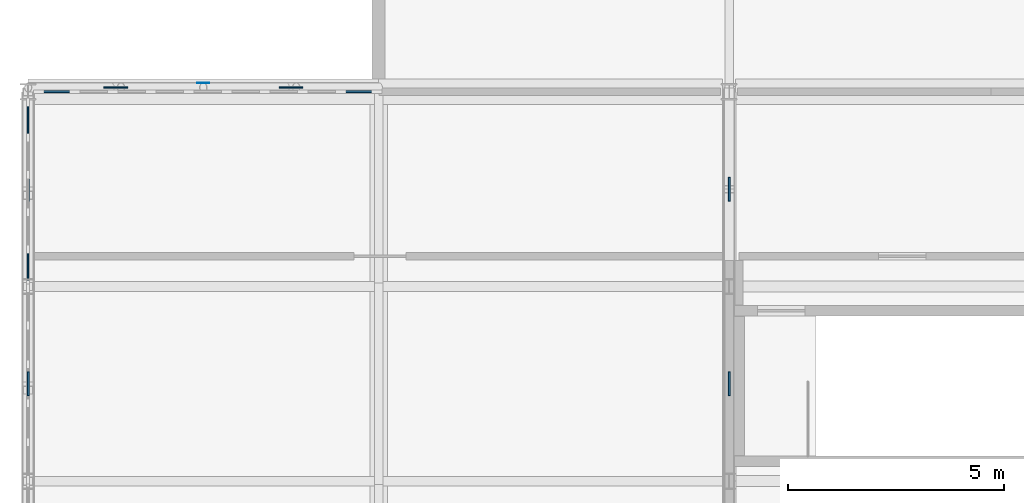
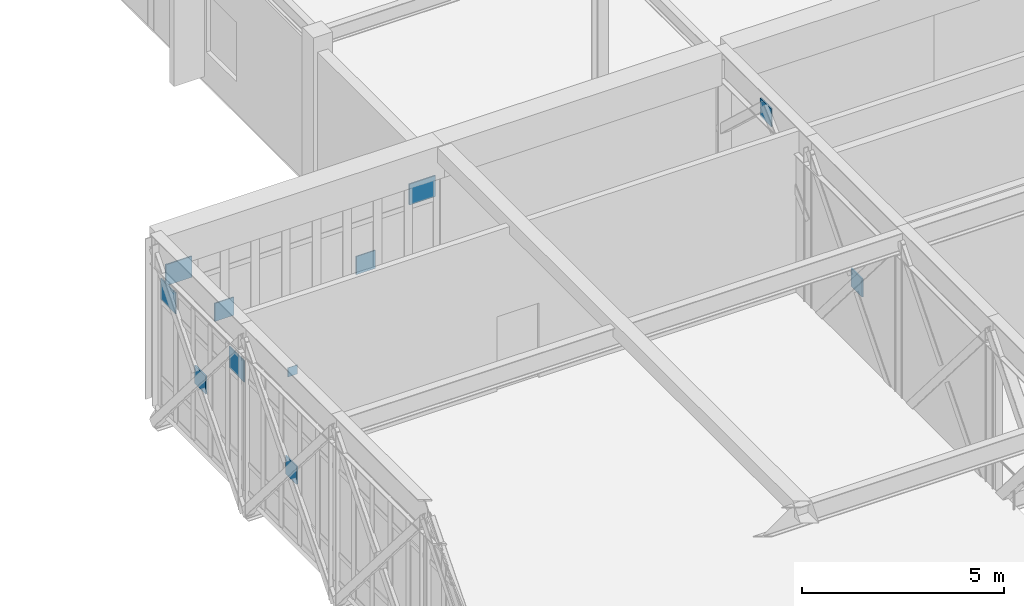
# One storey, part 53 of 70: 11 plates, 2 elements without a shape of their own.
"""IFC4 building model written with IfcOpenShell, lengths in metres."""

from ifc_helpers import new_model, si_unit, direction, frame, origin, origin_2d, place, context, subcontext, project, spatial, rectangle, extrude, material, layer, layer_set, type_object, element, aggregate, save


model = new_model("IFC4")

# Units and contexts
model_context = context("Model", 3, precision=1e-05, world=origin(), true_north=direction((0.0, 1.0)))
body_context = subcontext(model_context, "Body", "Model", "MODEL_VIEW")
ifc_project = project(units=[si_unit("LENGTHUNIT", "METRE"), si_unit("AREAUNIT", "SQUARE_METRE"), si_unit("VOLUMEUNIT", "CUBIC_METRE"), si_unit("PLANEANGLEUNIT", "RADIAN"), si_unit("MASSUNIT", "GRAM", prefix="KILO")], contexts=[model_context])

# Site, building, storey
site_placement = place(None, origin())
site = spatial("IfcSite", under=ifc_project, at=site_placement, CompositionType="ELEMENT")
building_placement = place(site_placement, origin())
building = spatial("IfcBuilding", under=site, at=building_placement, Name="Tarnveldt Square Police Headquarters", CompositionType="ELEMENT")
storey_placement = place(building_placement, frame((0.0, 0.0, 19.800048828125)))
storey = spatial("IfcBuildingStorey", under=building, at=storey_placement, Name="L04", CompositionType="ELEMENT", Elevation=19.800048828125)

# Curtain wall, plates
ifc_material_1 = material(Name="UL 752 Level III laminated ballistic vision glass", Category="glass")
curtain_wall_type_1 = type_object("IfcCurtainWallType", Name="CW-BL-790x409", PredefinedType="USERDEFINED", material=ifc_material_1)
curtain_wall_1_placement = place(storey_placement, origin())
curtain_wall_1 = element("IfcCurtainWall", 1, at=curtain_wall_1_placement, inside=storey, type_object=curtain_wall_type_1, Name="L04 Curtain Wall CW-L04-047", ObjectType="BALLISTIC CURTAIN WALL", PredefinedType="USERDEFINED")
ifc_layer_1 = layer(ifc_material_1, 0.0380859375)
ifc_layer_set_1 = layer_set([ifc_layer_1], Name="UL 752 Level III laminated ballistic vision glass")
plate_type_1 = type_object("IfcPlateType", Name="CWP-BAL-38", PredefinedType="CURTAIN_PANEL", material=ifc_layer_set_1)
plate_1_placement = place(storey_placement, frame((8.761962890625, 34.0, 3.37939453125), z_axis=(0.0, 0.0, 1.0), x_axis=(1.0, 0.0, 0.0)))
plate_1 = element("IfcPlate", 2, at=plate_1_placement, type_object=plate_type_1, Name="CW-BL19 panel 1.3", PredefinedType="CURTAIN_PANEL", context=body_context, shape_type="SweptSolid", body=[
    extrude(rectangle(XDim=0.75, YDim=0.0380859375, at=origin_2d()), origin(), (0.0, 0.0, 1.0), 0.637451171875),
])
plate_2_placement = place(storey_placement, frame((15.739990234375, 34.0, 3.37939453125), z_axis=(0.0, 0.0, 1.0), x_axis=(1.0, 0.0, 0.0)))
plate_2 = element("IfcPlate", 3, at=plate_2_placement, type_object=plate_type_1, Name="CW-BL19 panel 9.3", PredefinedType="CURTAIN_PANEL", context=body_context, shape_type="SweptSolid", body=[
    extrude(rectangle(XDim=0.75, YDim=0.0380859375, at=origin_2d()), origin(), (0.0, 0.0, 1.0), 0.637451171875),
])
aggregate(curtain_wall_1, [plate_1, plate_2])

ifc_material_2 = material(Name="Triple-glazed low-e laminated vision glass", Category="glass")
curtain_wall_type_2 = type_object("IfcCurtainWallType", Name="CW-LT-430x395", PredefinedType="USERDEFINED", material=ifc_material_2)
curtain_wall_2_placement = place(storey_placement, origin())
curtain_wall_2 = element("IfcCurtainWall", 4, at=curtain_wall_2_placement, inside=storey, type_object=curtain_wall_type_2, Name="L04 Curtain Wall CW-L04-055", ObjectType="GLAZED CURTAIN WALL", PredefinedType="USERDEFINED")
ifc_layer_2 = layer(ifc_material_2, 0.028076171875)
ifc_layer_set_2 = layer_set([ifc_layer_2], Name="Triple-glazed low-e laminated vision glass")
plate_type_2 = type_object("IfcPlateType", Name="CWP-VIS-28", PredefinedType="CURTAIN_PANEL", material=ifc_layer_set_2)
plate_3_placement = place(storey_placement, frame((8.10009765625, 29.948486328125, 3.2392578125), z_axis=(0.0, 0.0, 1.0), x_axis=(0.0, 1.0, 0.0)))
plate_3 = element("IfcPlate", 5, at=plate_3_placement, type_object=plate_type_2, Name="CW-LT23 panel 1.3", PredefinedType="CURTAIN_PANEL", context=body_context, shape_type="SweptSolid", body=[
    extrude(rectangle(XDim=0.7470703125, YDim=0.028076171875, at=origin_2d()), origin(), (0.0, 0.0, 1.0), 0.637451171875),
])
plate_4_placement = place(storey_placement, frame((8.10009765625, 33.349365234375, 3.2392578125), z_axis=(0.0, 0.0, 1.0), x_axis=(0.0, 1.0, 0.0)))
plate_4 = element("IfcPlate", 6, at=plate_4_placement, type_object=plate_type_2, Name="CW-LT23 panel 5.3", PredefinedType="CURTAIN_PANEL", context=body_context, shape_type="SweptSolid", body=[
    extrude(rectangle(XDim=0.7470703125, YDim=0.028076171875, at=origin_2d()), origin(), (0.0, 0.0, 1.0), 0.637451171875),
])
aggregate(curtain_wall_2, [plate_3, plate_4])

# Plates
ifc_material_3 = material(Name="Steel 350W", Category="steel")
ifc_layer_3 = layer(ifc_material_3, 0.011962890625)
ifc_layer_set_3 = layer_set([ifc_layer_3], Name="Steel 350W")
plate_type_3 = type_object("IfcPlateType", Name="PLT-CAP-12", PredefinedType="USERDEFINED", material=ifc_layer_set_3)
plate_5_placement = place(storey_placement, frame((12.14990234375, 34.205078125, -0.783203125), z_axis=(0.0, 0.0, 1.0), x_axis=(1.0, 0.0, 0.0)))
element("IfcPlate", 7, at=plate_5_placement, inside=storey, type_object=plate_type_3, Name="Node KN-LT1 HSS End Cap Plate N-L04-1", ObjectType="END CAP PLATE", PredefinedType="USERDEFINED", context=body_context, shape_type="SweptSolid", body=[
    extrude(rectangle(XDim=0.280029296875, YDim=0.011962890625, at=origin_2d()), origin(), (0.0, 0.0, 1.0), 0.280029296875),
])
ifc_layer_4 = layer(ifc_material_3, 0.031982421875)
ifc_layer_set_4 = layer_set([ifc_layer_4], Name="Steel 350W")
plate_type_4 = type_object("IfcPlateType", Name="PLT-GUS-32", PredefinedType="SHEET", material=ifc_layer_set_4)
for number, where, z_axis, x_axis, name in (
    (8, (10.125, 34.10009765625, 1.7236328125), (0.0, 0.0, 1.0), (1.0, 0.0, 0.0), "Command Lantern N Lattice Crossing Gusset Plate 1.1"),
    (9, (14.175048828125, 34.10009765625, 1.7236328125), (0.0, 0.0, 1.0), (1.0, 0.0, 0.0), "Command Lantern N Lattice Crossing Gusset Plate 1.2"),
):
    element("IfcPlate", number, at=place(storey_placement, frame(where, z_axis=z_axis, x_axis=x_axis)), inside=storey, type_object=plate_type_4, Name=name, PredefinedType="SHEET", context=body_context, shape_type="SweptSolid", body=[
        extrude(rectangle(XDim=0.550048828125, YDim=0.031982421875, at=origin_2d()), origin(), (0.0, 0.0, 1.0), 0.550048828125),
    ])
ifc_layer_5 = layer(ifc_material_3, 0.0419921875)
ifc_layer_set_5 = layer_set([ifc_layer_5], Name="Steel 350W")
plate_type_5 = type_object("IfcPlateType", Name="PLT-GUS-42", PredefinedType="SHEET", material=ifc_layer_set_5)
for number, where, z_axis, x_axis, name in (
    (10, (8.10009765625, 31.75, 1.7236328125), (0.0, 0.0, 1.0), (1.0, 0.0, 0.0), "Cantilever Truss CT-1 L04 Centre Gusset Plate 1"),
    (11, (8.10009765625, 27.25, 1.7236328125), (0.0, 0.0, 1.0), (1.0, 0.0, 0.0), "Cantilever Truss CT-1 L04 Centre Gusset Plate 2"),
    (12, (24.300048828125, 31.75, 4.1455078125), (0.0, 0.0, 1.0), (1.0, 0.0, 0.0), "Cantilever Truss CT-2 L04 Portal Gusset Plate 1"),
    (13, (24.300048828125, 27.25, 1.7236328125), (0.0, 0.0, 1.0), (1.0, 0.0, 0.0), "Cantilever Truss CT-2 L04 Centre Gusset Plate 2"),
):
    element("IfcPlate", number, at=place(storey_placement, frame(where, z_axis=z_axis, x_axis=x_axis)), inside=storey, type_object=plate_type_5, Name=name, PredefinedType="SHEET", context=body_context, shape_type="SweptSolid", body=[
        extrude(rectangle(XDim=0.0419921875, YDim=0.550048828125, at=origin_2d()), origin(), (0.0, 0.0, 1.0), 0.550048828125),
    ])

save(model, "model.ifc")
